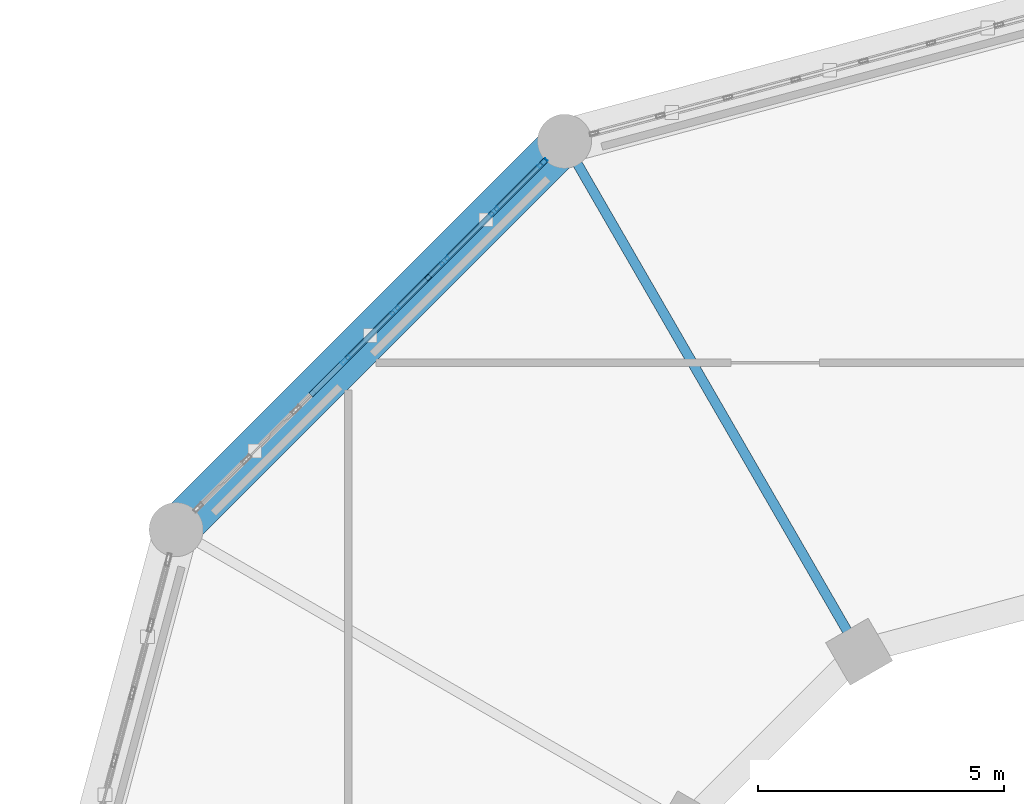
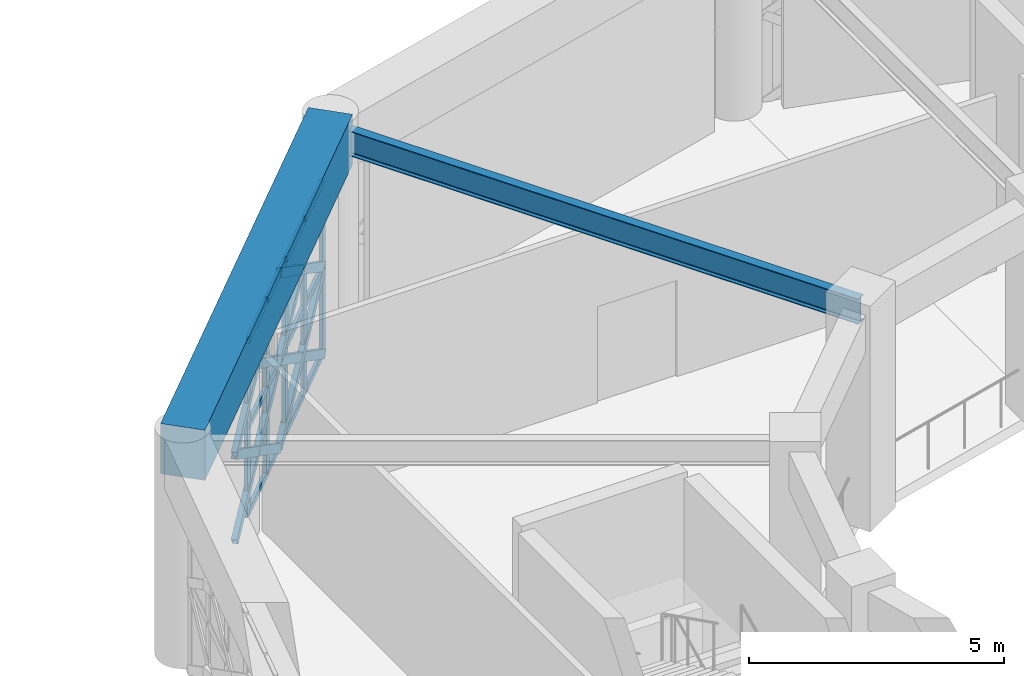
# One storey, part 27 of 72: 29 members, 2 beams, 1 element without a shape of its own.
"""IFC4 building model written with IfcOpenShell, lengths in metres."""

from ifc_helpers import new_model, si_unit, direction, frame, origin, origin_2d, place, context, subcontext, project, spatial, rectangle, hollow_rectangle, i_section, extrude, material, material_profile, profile_set, type_object, element, aggregate, save


model = new_model("IFC4")

# Units and contexts
model_context = context("Model", 3, precision=1e-05, world=origin(), true_north=direction((0.0, 1.0)))
body_context = subcontext(model_context, "Body", "Model", "MODEL_VIEW")
ifc_project = project(units=[si_unit("LENGTHUNIT", "METRE"), si_unit("AREAUNIT", "SQUARE_METRE"), si_unit("VOLUMEUNIT", "CUBIC_METRE"), si_unit("PLANEANGLEUNIT", "RADIAN"), si_unit("MASSUNIT", "GRAM", prefix="KILO")], contexts=[model_context])

# Site, building, storey
site_placement = place(None, origin())
site = spatial("IfcSite", under=ifc_project, at=site_placement, CompositionType="ELEMENT")
building_placement = place(site_placement, origin())
building = spatial("IfcBuilding", under=site, at=building_placement, Name="Haizhuo Lancet Aquarium", CompositionType="ELEMENT")
storey_placement = place(building_placement, frame((0.0, 0.0, 21.60009765625)))
storey = spatial("IfcBuildingStorey", under=building, at=storey_placement, Name="L04", CompositionType="ELEMENT", Elevation=21.60009765625)

# Beams
ifc_material_1 = material(Name="Concrete C50/60", Category="concrete")
ifc_material_profile_1 = material_profile(ifc_material_1, rectangle(XDim=0.89990234375, YDim=1.199951171875, at=origin_2d()), Name="RC-RB 900x1200")
ifc_profile_set_1 = profile_set([ifc_material_profile_1], Name="Concrete C50/60")
beam_type_1 = type_object("IfcBeamType", Name="BM-RB-900x1200", PredefinedType="USERDEFINED", material=ifc_profile_set_1)
beam_1_placement = place(storey_placement, frame((-10.800048828125, 18.7060546875, 4.7998046875), z_axis=(-0.707106781187, -0.707106781187, 0.0), x_axis=(0.707106781187, -0.707106781187, 0.0)))
element("IfcBeam", 1, at=beam_1_placement, inside=storey, type_object=beam_type_1, Name="Ocean Hall dome tension ring beam RB-1 seg 5", ObjectType="RING BEAM", PredefinedType="USERDEFINED", context=body_context, shape_type="SweptSolid", body=[
    extrude(rectangle(XDim=0.89990234375, YDim=1.199951171875, at=origin_2d()), origin(), (0.0, 0.0, 1.0), 11.1806640625),
])
ifc_material_2 = material(Name="Steel S355", Category="steel")
ifc_material_profile_2 = material_profile(ifc_material_2, i_section(OverallWidth=0.199951171875, OverallDepth=0.60009765625, WebThickness=0.010986328125, FlangeThickness=0.01708984375, FilletRadius=0.02197265625, at=origin_2d()), Name="HN 600x200x11x17")
ifc_profile_set_2 = profile_set([ifc_material_profile_2], Name="Steel S355")
beam_type_2 = type_object("IfcBeamType", Name="BM-ST-HN600", PredefinedType="BEAM", material=ifc_profile_set_2)
beam_2_placement = place(storey_placement, frame((-4.800048828125, 8.31396484375, 4.849853515625), z_axis=(-0.500007758305, 0.866020924479, 0.0), x_axis=(-0.866020924479, -0.500007758305, 0.0)))
element("IfcBeam", 2, at=beam_2_placement, inside=storey, type_object=beam_type_2, Name="L04 radial gallery girder 5", PredefinedType="BEAM", context=body_context, shape_type="SweptSolid", body=[
    extrude(i_section(OverallWidth=0.199951171875, OverallDepth=0.60009765625, WebThickness=0.010986328125, FlangeThickness=0.01708984375, FilletRadius=0.02197265625, at=origin_2d()), origin(), (0.0, 0.0, 1.0), 11.999755859375),
])

# Curtain wall, members
ifc_material_3 = material(Name="Aluminium 6063-T6", Category="aluminium")
curtain_wall_type = type_object("IfcCurtainWallType", Name="CWO-9990x4180", PredefinedType="NOTDEFINED", material=ifc_material_3)
curtain_wall_placement = place(storey_placement, origin())
curtain_wall = element("IfcCurtainWall", 3, at=curtain_wall_placement, inside=storey, type_object=curtain_wall_type, Name="L04 curtain wall CW-V1-L04-05", PredefinedType="NOTDEFINED")
ifc_material_profile_3 = material_profile(ifc_material_3, hollow_rectangle(XDim=0.074951171875, YDim=0.219970703125, WallThickness=0.0048828125, at=origin_2d()), Name="ALU-M 75x220x5")
ifc_profile_set_3 = profile_set([ifc_material_profile_3], Name="Aluminium 6063-T6")
member_type_1 = type_object("IfcMemberType", Name="CW-MUL-2", PredefinedType="MULLION", material=ifc_profile_set_3)
member_1_placement = place(storey_placement, frame((-15.258056640625, 14.248046875, 0.0), z_axis=(0.0, 0.0, 1.0), x_axis=(-0.707106781187, 0.707106781187, 0.0)))
member_1 = element("IfcMember", 4, at=member_1_placement, type_object=member_type_1, Name="CWO-99x41 mullion 4", PredefinedType="MULLION", context=body_context, shape_type="SweptSolid", body=[
    extrude(hollow_rectangle(XDim=0.074951171875, YDim=0.219970703125, WallThickness=0.0048828125, at=origin_2d()), origin(), (0.0, 0.0, 1.0), 4.184814453125),
])
member_2_placement = place(storey_placement, frame((-14.248046875, 15.258056640625, 0.0), z_axis=(0.0, 0.0, 1.0), x_axis=(-0.707106781187, 0.707106781187, 0.0)))
member_2 = element("IfcMember", 5, at=member_2_placement, type_object=member_type_1, Name="CWO-99x41 mullion 5", PredefinedType="MULLION", context=body_context, shape_type="SweptSolid", body=[
    extrude(hollow_rectangle(XDim=0.074951171875, YDim=0.219970703125, WallThickness=0.0048828125, at=origin_2d()), origin(), (0.0, 0.0, 1.0), 4.184814453125),
])
member_3_placement = place(storey_placement, frame((-13.239013671875, 16.26708984375, 0.0), z_axis=(0.0, 0.0, 1.0), x_axis=(-0.707106781187, 0.707106781187, 0.0)))
member_3 = element("IfcMember", 6, at=member_3_placement, type_object=member_type_1, Name="CWO-99x41 mullion 6", PredefinedType="MULLION", context=body_context, shape_type="SweptSolid", body=[
    extrude(hollow_rectangle(XDim=0.074951171875, YDim=0.219970703125, WallThickness=0.0048828125, at=origin_2d()), origin(), (0.0, 0.0, 1.0), 4.184814453125),
])
member_4_placement = place(storey_placement, frame((-12.22998046875, 17.27587890625, 0.0), z_axis=(0.0, 0.0, 1.0), x_axis=(-0.707106781187, 0.707106781187, 0.0)))
member_4 = element("IfcMember", 7, at=member_4_placement, type_object=member_type_1, Name="CWO-99x41 mullion 7", PredefinedType="MULLION", context=body_context, shape_type="SweptSolid", body=[
    extrude(hollow_rectangle(XDim=0.074951171875, YDim=0.219970703125, WallThickness=0.0048828125, at=origin_2d()), origin(), (0.0, 0.0, 1.0), 4.184814453125),
])
member_5_placement = place(storey_placement, frame((-11.248046875, 18.258056640625, 0.0), z_axis=(0.0, 0.0, 1.0), x_axis=(-0.707106781187, 0.707106781187, 0.0)))
member_5 = element("IfcMember", 8, at=member_5_placement, type_object=member_type_1, Name="CWO-99x41 mullion 8", PredefinedType="MULLION", context=body_context, shape_type="SweptSolid", body=[
    extrude(hollow_rectangle(XDim=0.074951171875, YDim=0.219970703125, WallThickness=0.0048828125, at=origin_2d()), origin(), (0.0, 0.0, 1.0), 4.184814453125),
])
ifc_material_profile_4 = material_profile(ifc_material_3, hollow_rectangle(XDim=0.074951171875, YDim=0.159912109375, WallThickness=0.00390625, at=origin_2d()), Name="ALU-T 75x160x4")
ifc_profile_set_4 = profile_set([ifc_material_profile_4], Name="Aluminium 6063-T6")
member_type_2 = type_object("IfcMemberType", Name="CW-TRN-2", PredefinedType="NOTDEFINED", material=ifc_profile_set_4)
member_6_placement = place(storey_placement, frame((-15.23095703125, 14.27490234375, 0.037841796875), z_axis=(0.707106781187, 0.707106781187, 0.0), x_axis=(-0.707106781187, 0.707106781187, 0.0)))
member_6 = element("IfcMember", 9, at=member_6_placement, type_object=member_type_2, Name="CWO-99x41 transom 4.1", ObjectType="TRANSOM", PredefinedType="USERDEFINED", context=body_context, shape_type="SweptSolid", body=[
    extrude(hollow_rectangle(XDim=0.074951171875, YDim=0.159912109375, WallThickness=0.00390625, at=origin_2d()), origin(), (0.0, 0.0, 1.0), 1.35205078125),
])
member_7_placement = place(storey_placement, frame((-15.23095703125, 14.27490234375, 2.093017578125), z_axis=(0.707106781187, 0.707106781187, 0.0), x_axis=(-0.707106781187, 0.707106781187, 0.0)))
member_7 = element("IfcMember", 10, at=member_7_placement, type_object=member_type_2, Name="CWO-99x41 transom 4.2", ObjectType="TRANSOM", PredefinedType="USERDEFINED", context=body_context, shape_type="SweptSolid", body=[
    extrude(hollow_rectangle(XDim=0.074951171875, YDim=0.159912109375, WallThickness=0.00390625, at=origin_2d()), origin(), (0.0, 0.0, 1.0), 1.35205078125),
])
member_8_placement = place(storey_placement, frame((-15.23095703125, 14.27490234375, 4.14697265625), z_axis=(0.707106781187, 0.707106781187, 0.0), x_axis=(-0.707106781187, 0.707106781187, 0.0)))
member_8 = element("IfcMember", 11, at=member_8_placement, type_object=member_type_2, Name="CWO-99x41 transom 4.3", ObjectType="TRANSOM", PredefinedType="USERDEFINED", context=body_context, shape_type="SweptSolid", body=[
    extrude(hollow_rectangle(XDim=0.074951171875, YDim=0.159912109375, WallThickness=0.00390625, at=origin_2d()), origin(), (0.0, 0.0, 1.0), 1.35205078125),
])
member_9_placement = place(storey_placement, frame((-14.221923828125, 15.283935546875, 0.037841796875), z_axis=(0.707016479575, 0.707197071268, 0.0), x_axis=(-0.707197071268, 0.707016479575, 0.0)))
member_9 = element("IfcMember", 12, at=member_9_placement, type_object=member_type_2, Name="CWO-99x41 transom 5.1", ObjectType="TRANSOM", PredefinedType="USERDEFINED", context=body_context, shape_type="SweptSolid", body=[
    extrude(hollow_rectangle(XDim=0.074951171875, YDim=0.159912109375, WallThickness=0.00390625, at=origin_2d()), origin(), (0.0, 0.0, 1.0), 1.351806640625),
])
member_10_placement = place(storey_placement, frame((-14.221923828125, 15.283935546875, 2.093017578125), z_axis=(0.707016479575, 0.707197071268, 0.0), x_axis=(-0.707197071268, 0.707016479575, 0.0)))
member_10 = element("IfcMember", 13, at=member_10_placement, type_object=member_type_2, Name="CWO-99x41 transom 5.2", ObjectType="TRANSOM", PredefinedType="USERDEFINED", context=body_context, shape_type="SweptSolid", body=[
    extrude(hollow_rectangle(XDim=0.074951171875, YDim=0.159912109375, WallThickness=0.00390625, at=origin_2d()), origin(), (0.0, 0.0, 1.0), 1.351806640625),
])
member_11_placement = place(storey_placement, frame((-14.221923828125, 15.283935546875, 4.14697265625), z_axis=(0.707016479575, 0.707197071268, 0.0), x_axis=(-0.707197071268, 0.707016479575, 0.0)))
member_11 = element("IfcMember", 14, at=member_11_placement, type_object=member_type_2, Name="CWO-99x41 transom 5.3", ObjectType="TRANSOM", PredefinedType="USERDEFINED", context=body_context, shape_type="SweptSolid", body=[
    extrude(hollow_rectangle(XDim=0.074951171875, YDim=0.159912109375, WallThickness=0.00390625, at=origin_2d()), origin(), (0.0, 0.0, 1.0), 1.351806640625),
])
member_12_placement = place(storey_placement, frame((-13.212890625, 16.29296875, 0.037841796875), z_axis=(0.707016479575, 0.707197071268, 0.0), x_axis=(-0.707197071268, 0.707016479575, 0.0)))
member_12 = element("IfcMember", 15, at=member_12_placement, type_object=member_type_2, Name="CWO-99x41 transom 6.1", ObjectType="TRANSOM", PredefinedType="USERDEFINED", context=body_context, shape_type="SweptSolid", body=[
    extrude(hollow_rectangle(XDim=0.074951171875, YDim=0.159912109375, WallThickness=0.00390625, at=origin_2d()), origin(), (0.0, 0.0, 1.0), 1.351806640625),
])
member_13_placement = place(storey_placement, frame((-13.212890625, 16.29296875, 2.093017578125), z_axis=(0.707016479575, 0.707197071268, 0.0), x_axis=(-0.707197071268, 0.707016479575, 0.0)))
member_13 = element("IfcMember", 16, at=member_13_placement, type_object=member_type_2, Name="CWO-99x41 transom 6.2", ObjectType="TRANSOM", PredefinedType="USERDEFINED", context=body_context, shape_type="SweptSolid", body=[
    extrude(hollow_rectangle(XDim=0.074951171875, YDim=0.159912109375, WallThickness=0.00390625, at=origin_2d()), origin(), (0.0, 0.0, 1.0), 1.351806640625),
])
member_14_placement = place(storey_placement, frame((-13.212890625, 16.29296875, 4.14697265625), z_axis=(0.707016479575, 0.707197071268, 0.0), x_axis=(-0.707197071268, 0.707016479575, 0.0)))
member_14 = element("IfcMember", 17, at=member_14_placement, type_object=member_type_2, Name="CWO-99x41 transom 6.3", ObjectType="TRANSOM", PredefinedType="USERDEFINED", context=body_context, shape_type="SweptSolid", body=[
    extrude(hollow_rectangle(XDim=0.074951171875, YDim=0.159912109375, WallThickness=0.00390625, at=origin_2d()), origin(), (0.0, 0.0, 1.0), 1.351806640625),
])
member_15_placement = place(storey_placement, frame((-12.2041015625, 17.302001953125, 0.037841796875), z_axis=(0.70719958344, 0.707013966752, 0.0), x_axis=(-0.707013966752, 0.70719958344, 0.0)))
member_15 = element("IfcMember", 18, at=member_15_placement, type_object=member_type_2, Name="CWO-99x41 transom 7.1", ObjectType="TRANSOM", PredefinedType="USERDEFINED", context=body_context, shape_type="SweptSolid", body=[
    extrude(hollow_rectangle(XDim=0.074951171875, YDim=0.159912109375, WallThickness=0.00390625, at=origin_2d()), origin(), (0.0, 0.0, 1.0), 1.315185546875),
])
member_16_placement = place(storey_placement, frame((-12.2041015625, 17.302001953125, 2.093017578125), z_axis=(0.70719958344, 0.707013966752, 0.0), x_axis=(-0.707013966752, 0.70719958344, 0.0)))
member_16 = element("IfcMember", 19, at=member_16_placement, type_object=member_type_2, Name="CWO-99x41 transom 7.2", ObjectType="TRANSOM", PredefinedType="USERDEFINED", context=body_context, shape_type="SweptSolid", body=[
    extrude(hollow_rectangle(XDim=0.074951171875, YDim=0.159912109375, WallThickness=0.00390625, at=origin_2d()), origin(), (0.0, 0.0, 1.0), 1.315185546875),
])
member_17_placement = place(storey_placement, frame((-12.2041015625, 17.302001953125, 4.14697265625), z_axis=(0.70719958344, 0.707013966752, 0.0), x_axis=(-0.707013966752, 0.70719958344, 0.0)))
member_17 = element("IfcMember", 20, at=member_17_placement, type_object=member_type_2, Name="CWO-99x41 transom 7.3", ObjectType="TRANSOM", PredefinedType="USERDEFINED", context=body_context, shape_type="SweptSolid", body=[
    extrude(hollow_rectangle(XDim=0.074951171875, YDim=0.159912109375, WallThickness=0.00390625, at=origin_2d()), origin(), (0.0, 0.0, 1.0), 1.315185546875),
])
aggregate(curtain_wall, [member_1, member_2, member_3, member_4, member_5, member_6, member_7, member_8, member_9, member_10, member_11, member_12, member_13, member_14, member_15, member_16, member_17])

# Members
ifc_material_profile_5 = material_profile(ifc_material_2, hollow_rectangle(XDim=0.1201171875, YDim=0.199951171875, WallThickness=0.008056640625, at=origin_2d()), Name="RHS 120x200x8")
ifc_profile_set_5 = profile_set([ifc_material_profile_5], Name="Steel S355")
member_type_3 = type_object("IfcMemberType", Name="MEM-LB-RHS120x200", PredefinedType="BRACE", material=ifc_profile_set_5)
member_18_placement = place(storey_placement, frame((-15.929931640625, 13.575927734375, 0.0), z_axis=(0.598624938424, 0.598624938424, 0.532255921708), x_axis=(-0.707106781187, 0.707106781187, 0.0)))
element("IfcMember", 21, at=member_18_placement, inside=storey, type_object=member_type_3, Name="Gothic lancet continuous diagonal brace CW-V1-L04-05 3A", PredefinedType="BRACE", context=body_context, shape_type="SweptSolid", body=[
    extrude(hollow_rectangle(XDim=0.1201171875, YDim=0.199951171875, WallThickness=0.008056640625, at=origin_2d()), origin(), (0.0, 0.0, 1.0), 3.932373046875),
])
member_19_placement = place(storey_placement, frame((-13.575927734375, 15.929931640625, 0.0), z_axis=(-0.598565591853, -0.598565591853, 0.532389391799), x_axis=(0.707106781187, -0.707106781187, 0.0)))
element("IfcMember", 22, at=member_19_placement, inside=storey, type_object=member_type_3, Name="Gothic lancet split diagonal brace CW-V1-L04-05 3B1", PredefinedType="BRACE", context=body_context, shape_type="SweptSolid", body=[
    extrude(hollow_rectangle(XDim=0.1201171875, YDim=0.199951171875, WallThickness=0.008056640625, at=origin_2d()), origin(), (0.0, 0.0, 1.0), 1.96630859375),
])
member_20_placement = place(storey_placement, frame((-14.7529296875, 14.7529296875, 1.046875), z_axis=(-0.598684281878, -0.598684281878, 0.532122411916), x_axis=(0.707106781187, -0.707106781187, 0.0)))
element("IfcMember", 23, at=member_20_placement, inside=storey, type_object=member_type_3, Name="Gothic lancet split diagonal brace CW-V1-L04-05 3B2", PredefinedType="BRACE", context=body_context, shape_type="SweptSolid", body=[
    extrude(hollow_rectangle(XDim=0.1201171875, YDim=0.199951171875, WallThickness=0.008056640625, at=origin_2d()), origin(), (0.0, 0.0, 1.0), 1.966064453125),
])
member_21_placement = place(storey_placement, frame((-15.929931640625, 13.575927734375, 2.093017578125), z_axis=(0.598723842444, 0.598723842444, 0.53203338333), x_axis=(-0.707106781187, 0.707106781187, 0.0)))
element("IfcMember", 24, at=member_21_placement, inside=storey, type_object=member_type_3, Name="Gothic lancet continuous diagonal brace CW-V1-L04-05 4A", PredefinedType="BRACE", context=body_context, shape_type="SweptSolid", body=[
    extrude(hollow_rectangle(XDim=0.1201171875, YDim=0.199951171875, WallThickness=0.008056640625, at=origin_2d()), origin(), (0.0, 0.0, 1.0), 3.931640625),
])
for number, where, z_axis, x_axis, name in (
    (25, (-13.575927734375, 15.929931640625, 2.093017578125), (-0.598723842444, -0.598723842444, 0.53203338333), (0.707106781187, -0.707106781187, 0.0), "Gothic lancet split diagonal brace CW-V1-L04-05 4B1"),
    (26, (-14.7529296875, 14.7529296875, 3.138916015625), (-0.598723842444, -0.598723842444, 0.53203338333), (0.707106781187, -0.707106781187, 0.0), "Gothic lancet split diagonal brace CW-V1-L04-05 4B2"),
):
    element("IfcMember", number, at=place(storey_placement, frame(where, z_axis=z_axis, x_axis=x_axis)), inside=storey, type_object=member_type_3, Name=name, PredefinedType="BRACE", context=body_context, shape_type="SweptSolid", body=[
        extrude(hollow_rectangle(XDim=0.1201171875, YDim=0.199951171875, WallThickness=0.008056640625, at=origin_2d()), origin(), (0.0, 0.0, 1.0), 1.9658203125),
    ])
member_22_placement = place(storey_placement, frame((-13.575927734375, 15.929931640625, 0.0), z_axis=(0.598695261039, 0.598695261039, 0.532097706084), x_axis=(-0.707106781187, 0.707106781187, 0.0)))
element("IfcMember", 27, at=member_22_placement, inside=storey, type_object=member_type_3, Name="Gothic lancet continuous diagonal brace CW-V1-L04-05 5A", PredefinedType="BRACE", context=body_context, shape_type="SweptSolid", body=[
    extrude(hollow_rectangle(XDim=0.1201171875, YDim=0.199951171875, WallThickness=0.008056640625, at=origin_2d()), origin(), (0.0, 0.0, 1.0), 3.93359375),
])
member_23_placement = place(storey_placement, frame((-11.220947265625, 18.284912109375, 0.0), z_axis=(-0.598884148015, -0.598387663747, 0.532231135065), x_axis=(0.706813497615, -0.707399943164, 0.0)))
element("IfcMember", 28, at=member_23_placement, inside=storey, type_object=member_type_3, Name="Gothic lancet split diagonal brace CW-V1-L04-05 5B1", PredefinedType="BRACE", context=body_context, shape_type="SweptSolid", body=[
    extrude(hollow_rectangle(XDim=0.1201171875, YDim=0.199951171875, WallThickness=0.008056640625, at=origin_2d()), origin(), (0.0, 0.0, 1.0), 1.967041015625),
])
member_24_placement = place(storey_placement, frame((-12.39892578125, 17.10791015625, 1.046875), z_axis=(-0.598506247939, -0.599002830596, 0.531964171835), x_axis=(0.707399943164, -0.706813497615, 0.0)))
element("IfcMember", 29, at=member_24_placement, inside=storey, type_object=member_type_3, Name="Gothic lancet split diagonal brace CW-V1-L04-05 5B2", PredefinedType="BRACE", context=body_context, shape_type="SweptSolid", body=[
    extrude(hollow_rectangle(XDim=0.1201171875, YDim=0.199951171875, WallThickness=0.008056640625, at=origin_2d()), origin(), (0.0, 0.0, 1.0), 1.966552734375),
])
member_25_placement = place(storey_placement, frame((-13.575927734375, 15.929931640625, 2.093017578125), z_axis=(0.598794117865, 0.598794117865, 0.531875181616), x_axis=(-0.707106781187, 0.707106781187, 0.0)))
element("IfcMember", 30, at=member_25_placement, inside=storey, type_object=member_type_3, Name="Gothic lancet continuous diagonal brace CW-V1-L04-05 6A", PredefinedType="BRACE", context=body_context, shape_type="SweptSolid", body=[
    extrude(hollow_rectangle(XDim=0.1201171875, YDim=0.199951171875, WallThickness=0.008056640625, at=origin_2d()), origin(), (0.0, 0.0, 1.0), 3.932861328125),
])
for number, where, z_axis, x_axis, name in (
    (31, (-11.220947265625, 18.284912109375, 2.093017578125), (-0.599042388672, -0.59854577322, 0.531875148823), (0.706813497615, -0.707399943164, 0.0), "Gothic lancet split diagonal brace CW-V1-L04-05 6B1"),
    (32, (-12.39892578125, 17.10791015625, 3.138916015625), (-0.59854577322, -0.599042388672, 0.531875148823), (0.707399943164, -0.706813497615, 0.0), "Gothic lancet split diagonal brace CW-V1-L04-05 6B2"),
):
    element("IfcMember", number, at=place(storey_placement, frame(where, z_axis=z_axis, x_axis=x_axis)), inside=storey, type_object=member_type_3, Name=name, PredefinedType="BRACE", context=body_context, shape_type="SweptSolid", body=[
        extrude(hollow_rectangle(XDim=0.1201171875, YDim=0.199951171875, WallThickness=0.008056640625, at=origin_2d()), origin(), (0.0, 0.0, 1.0), 1.966552734375),
    ])

save(model, "model.ifc")
